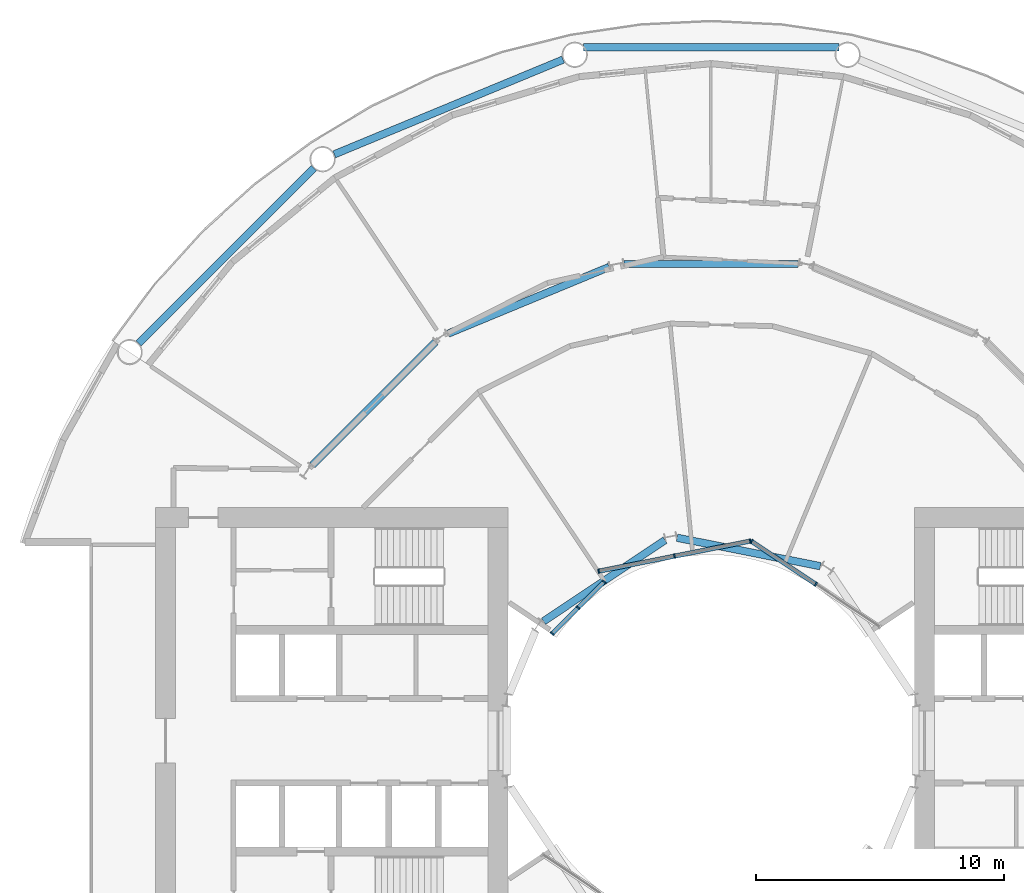
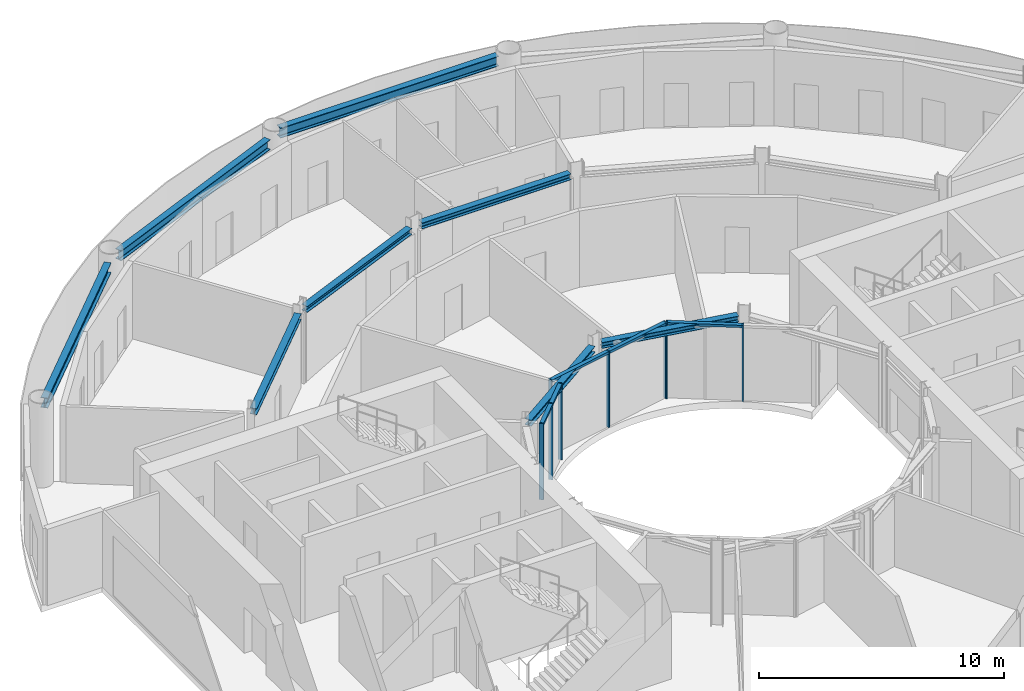
# One storey, part 7 of 19: 13 members, 8 beams, 3 elements without a shape of their own.
"""IFC4 building model written with IfcOpenShell, lengths in metres."""

import ifcopenshell
import ifcopenshell.guid

model = None  # the IFC model being written
_history = None  # IfcOwnerHistory: only IFC2X3 demands one
_inside = {}  # id of a spatial element -> (the spatial element, [elements in it])
_under = {}  # id of a project, library or spatial element -> (it, [spatial elements below it])
_declared = {}  # id of a project -> (the project, [libraries it declares])
_typed = {}  # id of a type object -> (the type object, [elements of that type])
_made_of = {}  # id of a material, layer set ... -> (it, [elements and type objects made of it])


def new_model(schema):
    """Start an empty IFC model of exactly this schema.

    Asked for "IFC4X3", IfcOpenShell would pick the latest addendum, in which some entities
    have other attributes; the version numbers below select the first issue.
    IFC2X3 requires an IfcOwnerHistory on every rooted entity: one is made here for all.
    """
    global model, _history
    if schema == "IFC4X3":
        model = ifcopenshell.file(schema_version=(4, 3, 0, 0))
    else:
        model = ifcopenshell.file(schema=schema)
    _inside.clear()
    _under.clear()
    _declared.clear()
    _typed.clear()
    _made_of.clear()
    _history = None
    if model.schema == "IFC2X3":
        org = make("IfcOrganization", Name="unknown")
        user = make(
            "IfcPersonAndOrganization",
            ThePerson=make("IfcPerson", FamilyName="unknown"),
            TheOrganization=org,
        )
        app = make(
            "IfcApplication",
            ApplicationDeveloper=org,
            Version="unknown",
            ApplicationFullName="unknown",
            ApplicationIdentifier="unknown",
        )
        _history = make(
            "IfcOwnerHistory",
            OwningUser=user,
            OwningApplication=app,
            ChangeAction="ADDED",
            CreationDate=0,
        )
    return model


def make(cls, **values):
    """One entity of the class cls with the attributes given. An attribute that is None is left unset."""
    return model.create_entity(
        cls, **{name: value for name, value in values.items() if value is not None}
    )


def rooted(cls, **values):
    """An entity with a GlobalId (a new one), such as an element, a storey or a relation."""
    return make(cls, GlobalId=ifcopenshell.guid.new(), OwnerHistory=_history, **values)


def si_unit(unit_type, name, prefix=None):
    """IfcSIUnit, for example si_unit("LENGTHUNIT", "METRE", prefix="MILLI")."""
    return make("IfcSIUnit", UnitType=unit_type, Prefix=prefix, Name=name)


def assignment(units):
    """IfcUnitAssignment: the units of a project."""
    return None if units is None else make("IfcUnitAssignment", Units=units)


def point(xyz):
    """IfcCartesianPoint."""
    return None if xyz is None else make("IfcCartesianPoint", Coordinates=xyz)


def direction(xyz):
    """IfcDirection."""
    return None if xyz is None else make("IfcDirection", DirectionRatios=xyz)


def frame(location, z_axis=None, x_axis=None):
    """IfcAxis2Placement3D, a coordinate frame: its origin and axes. An axis left out is left unset."""
    return make(
        "IfcAxis2Placement3D",
        Location=point(location),
        Axis=direction(z_axis),
        RefDirection=direction(x_axis),
    )


def frame_2d(location, x_axis=None):
    """IfcAxis2Placement2D, a coordinate frame in the plane: its origin and x axis."""
    return make(
        "IfcAxis2Placement2D", Location=point(location), RefDirection=direction(x_axis)
    )


def origin():
    """The frame at (0, 0, 0) with its axes left unset."""
    return frame((0.0, 0.0, 0.0))


def origin_2d():
    """The frame at (0, 0) in the plane with its x axis left unset."""
    return frame_2d((0.0, 0.0))


def place(relative_to, where):
    """IfcLocalPlacement: puts the frame where relative to a parent placement (None: the world)."""
    return make(
        "IfcLocalPlacement", PlacementRelTo=relative_to, RelativePlacement=where
    )


def context(
    kind, dimensions, precision=None, world=None, true_north=None, identifier=None
):
    """IfcGeometricRepresentationContext, for example the 3D "Model" context."""
    return make(
        "IfcGeometricRepresentationContext",
        ContextIdentifier=identifier,
        ContextType=kind,
        CoordinateSpaceDimension=dimensions,
        Precision=precision,
        WorldCoordinateSystem=world,
        TrueNorth=true_north,
    )


def subcontext(parent, identifier, kind, view, scale=None):
    """IfcGeometricRepresentationSubContext, for example "Body" below "Model"."""
    return make(
        "IfcGeometricRepresentationSubContext",
        ContextIdentifier=identifier,
        ContextType=kind,
        ParentContext=parent,
        TargetScale=scale,
        TargetView=view,
    )


def project(units=None, contexts=None):
    """IfcProject with its units and contexts."""
    return rooted(
        "IfcProject",
        Name="project",
        RepresentationContexts=contexts,
        UnitsInContext=assignment(units),
    )


def spatial(cls, under=None, at=None, **own):
    """A site, building, storey or space (cls), placed at a placement, below another one or the project."""
    s = rooted(cls, ObjectPlacement=at, **own)
    if under is not None:
        _under.setdefault(under.id(), (under, []))[1].append(s)
    return s


def profile(cls, at=None, kind="AREA", **sizes):
    """A parametric profile (cls). Its sizes go by their IFC names, for example OverallWidth=200.0."""
    return make(cls, ProfileType=kind, Position=at, **sizes)


def rectangle(**sizes):
    """IfcRectangleProfileDef."""
    return profile("IfcRectangleProfileDef", **sizes)


def i_section(**sizes):
    """IfcIShapeProfileDef."""
    return profile("IfcIShapeProfileDef", **sizes)


def extrude(swept, where, along, depth):
    """IfcExtrudedAreaSolid: the profile swept, set in the frame where, extruded along a direction by depth."""
    return make(
        "IfcExtrudedAreaSolid",
        SweptArea=swept,
        Position=where,
        ExtrudedDirection=direction(along),
        Depth=depth,
    )


def shape(context_of_items, identifier, shape_type, items):
    """IfcShapeRepresentation: the items that make up one representation, for example the "Body"."""
    return make(
        "IfcShapeRepresentation",
        ContextOfItems=context_of_items,
        RepresentationIdentifier=identifier,
        RepresentationType=shape_type,
        Items=items,
    )


def material(Name=None, Category=None):
    """IfcMaterial."""
    return make("IfcMaterial", Name=Name, Category=Category)


def layer(
    of_material, thickness, ventilated=None, Name=None, Category=None, Priority=None
):
    """IfcMaterialLayer: one layer of a wall or slab, of a material (None: an air gap)."""
    return make(
        "IfcMaterialLayer",
        Material=of_material,
        LayerThickness=thickness,
        IsVentilated=ventilated,
        Name=Name,
        Category=Category,
        Priority=Priority,
    )


def layer_set(layers, Name=None):
    """IfcMaterialLayerSet."""
    return make("IfcMaterialLayerSet", MaterialLayers=layers, LayerSetName=Name)


def material_profile(
    of_material, cross_section, Name=None, Category=None, Priority=None
):
    """IfcMaterialProfile: a cross section and its material."""
    return make(
        "IfcMaterialProfile",
        Name=Name,
        Material=of_material,
        Profile=cross_section,
        Priority=Priority,
        Category=Category,
    )


def profile_set(profiles, Name=None, composite=None):
    """IfcMaterialProfileSet."""
    return make(
        "IfcMaterialProfileSet",
        Name=Name,
        MaterialProfiles=profiles,
        CompositeProfile=composite,
    )


def made_of(thing, what):
    """Note that an element or type object is made of a material, layer set ...; save() writes the relation."""
    if what is not None:
        _made_of.setdefault(what.id(), (what, []))[1].append(thing)
    return thing


def type_object(cls, material=None, **own):
    """A type object (cls), such as IfcWallType, which elements share."""
    return made_of(rooted(cls, **own), material)


def element(
    cls,
    number,
    at=None,
    inside=None,
    cuts=None,
    type_object=None,
    material=None,
    context=None,
    identifier="Body",
    shape_type=None,
    held_by="IfcProductDefinitionShape",
    body=None,
    shapes=None,
    **own,
):
    """One element of the class cls, such as IfcWall. Its Tag is "e" and its number.

    at: its placement. inside: the storey or other place that contains it. cuts: it is an
    opening in that element (IfcRelVoidsElement). A single representation is given by context,
    identifier, shape_type and body (its items); several are given by shapes. held_by: the class
    of the entity that holds the representations. save() writes the other relations.
    """
    e = rooted(cls, Tag="e%d" % number, ObjectPlacement=at, **own)
    if body is not None:
        shapes = [shape(context, identifier, shape_type, body)]
    if shapes is not None:
        e.Representation = make(held_by, Representations=shapes)
    if inside is not None:
        _inside.setdefault(inside.id(), (inside, []))[1].append(e)
    if cuts is not None:
        rooted(
            "IfcRelVoidsElement", RelatingBuildingElement=cuts, RelatedOpeningElement=e
        )
    if type_object is not None:
        _typed.setdefault(type_object.id(), (type_object, []))[1].append(e)
    return made_of(e, material)


def aggregate(whole, parts):
    """IfcRelAggregates: a whole, such as a stair, and the parts it consists of."""
    return rooted("IfcRelAggregates", RelatingObject=whole, RelatedObjects=parts)


def save(model, path):
    """Write the relations noted so far, then the file.

    IfcRelAggregates (storeys below a building ...), IfcRelContainedInSpatialStructure (elements
    in a storey), IfcRelDefinesByType, IfcRelAssociatesMaterial and IfcRelDeclares: one each for
    every whole, place, type object, material and project.
    """
    for whole, parts in _under.values():
        aggregate(whole, parts)
    for where, things in _inside.values():
        rooted(
            "IfcRelContainedInSpatialStructure",
            RelatedElements=things,
            RelatingStructure=where,
        )
    for kind, things in _typed.values():
        rooted("IfcRelDefinesByType", RelatedObjects=things, RelatingType=kind)
    for what, things in _made_of.values():
        rooted("IfcRelAssociatesMaterial", RelatedObjects=things, RelatingMaterial=what)
    for by, libraries in _declared.values():
        rooted("IfcRelDeclares", RelatingContext=by, RelatedDefinitions=libraries)
    model.write(path)


model = new_model("IFC4")

# Units and contexts
model_context = context("Model", 3, precision=1e-05, world=origin(), true_north=direction((0.0, 1.0)))
body_context = subcontext(model_context, "Body", "Model", "MODEL_VIEW")
ifc_project = project(units=[si_unit("LENGTHUNIT", "METRE"), si_unit("AREAUNIT", "SQUARE_METRE"), si_unit("VOLUMEUNIT", "CUBIC_METRE"), si_unit("PLANEANGLEUNIT", "RADIAN"), si_unit("MASSUNIT", "GRAM", prefix="KILO")], contexts=[model_context])

# Site, building, storey
site_placement = place(None, origin())
site = spatial("IfcSite", under=ifc_project, at=site_placement, CompositionType="ELEMENT")
building_placement = place(site_placement, origin())
building = spatial("IfcBuilding", under=site, at=building_placement, Name="Maasbend Ring Residences", CompositionType="ELEMENT")
storey_placement = place(building_placement, frame((0.0, 0.0, 53.300048828125)))
storey = spatial("IfcBuildingStorey", under=building, at=storey_placement, Name="L15", CompositionType="ELEMENT", Elevation=53.300048828125)

# Curtain wall, members
ifc_material_1 = material(Name="Aluminium and clear glass", Category="aluminium")
ifc_layer = layer(ifc_material_1, 0.179931640625)
ifc_layer_set = layer_set([ifc_layer], Name="CW-W")
curtain_wall_type = type_object("IfcCurtainWallType", Name="CW-W", PredefinedType="NOTDEFINED", material=ifc_layer_set)
curtain_wall_1_placement = place(storey_placement, origin())
curtain_wall_1 = element("IfcCurtainWall", 1, at=curtain_wall_1_placement, inside=storey, type_object=curtain_wall_type, Name="Well curtain wall N1", PredefinedType="NOTDEFINED")
ifc_material_2 = material(Name="Aluminium 6063-T6", Category="aluminium")
ifc_material_profile_1 = material_profile(ifc_material_2, rectangle(XDim=0.179931640625, YDim=0.06005859375, at=origin_2d()), Name="AL 180x60")
ifc_profile_set_1 = profile_set([ifc_material_profile_1], Name="Aluminium 6063-T6")
member_type_1 = type_object("IfcMemberType", Name="CWM-W", PredefinedType="MULLION", material=ifc_profile_set_1)
member_1_placement = place(storey_placement, frame((4.216796875, 6.310791015625, 0.0), z_axis=(0.0, 0.0, 1.0), x_axis=(-0.55557023302, -0.831469612303, 0.0)))
member_1 = element("IfcMember", 2, at=member_1_placement, type_object=member_type_1, Name="Mullion well face", PredefinedType="MULLION", context=body_context, shape_type="SweptSolid", body=[
    extrude(rectangle(XDim=0.179931640625, YDim=0.06005859375, at=origin_2d()), origin(), (0.0, 0.0, 1.0), 3.800048828125),
])
member_2_placement = place(storey_placement, frame((1.627685546875, 8.040771484375, 0.0), z_axis=(0.0, 0.0, 1.0), x_axis=(-0.55557023302, -0.831469612303, 0.0)))
member_2 = element("IfcMember", 3, at=member_2_placement, type_object=member_type_1, Name="Mullion well face", PredefinedType="MULLION", context=body_context, shape_type="SweptSolid", body=[
    extrude(rectangle(XDim=0.179931640625, YDim=0.06005859375, at=origin_2d()), origin(), (0.0, 0.0, 1.0), 3.800048828125),
])

curtain_wall_2_placement = place(storey_placement, origin())
curtain_wall_2 = element("IfcCurtainWall", 4, at=curtain_wall_2_placement, inside=storey, type_object=curtain_wall_type, Name="Well curtain wall N2", PredefinedType="NOTDEFINED")
member_3_placement = place(storey_placement, frame((1.5732421875, 8.0517578125, 0.0), z_axis=(0.0, 0.0, 1.0), x_axis=(0.195090322016, -0.980785280403, 0.0)))
member_3 = element("IfcMember", 5, at=member_3_placement, type_object=member_type_1, Name="Mullion well face", PredefinedType="MULLION", context=body_context, shape_type="SweptSolid", body=[
    extrude(rectangle(XDim=0.179931640625, YDim=0.06005859375, at=origin_2d()), origin(), (0.0, 0.0, 1.0), 3.800048828125),
])
member_4_placement = place(storey_placement, frame((-1.480712890625, 7.444091796875, 0.0), z_axis=(0.0, 0.0, 1.0), x_axis=(0.195090322016, -0.980785280403, 0.0)))
member_4 = element("IfcMember", 6, at=member_4_placement, type_object=member_type_1, Name="Mullion well face", PredefinedType="MULLION", context=body_context, shape_type="SweptSolid", body=[
    extrude(rectangle(XDim=0.179931640625, YDim=0.06005859375, at=origin_2d()), origin(), (0.0, 0.0, 1.0), 3.800048828125),
])
member_5_placement = place(storey_placement, frame((-4.53466796875, 6.836669921875, 0.0), z_axis=(0.0, 0.0, 1.0), x_axis=(0.195090322016, -0.980785280403, 0.0)))
member_5 = element("IfcMember", 7, at=member_5_placement, type_object=member_type_1, Name="Mullion well face", PredefinedType="MULLION", context=body_context, shape_type="SweptSolid", body=[
    extrude(rectangle(XDim=0.179931640625, YDim=0.06005859375, at=origin_2d()), origin(), (0.0, 0.0, 1.0), 3.800048828125),
])

curtain_wall_3_placement = place(storey_placement, origin())
curtain_wall_3 = element("IfcCurtainWall", 8, at=curtain_wall_3_placement, inside=storey, type_object=curtain_wall_type, Name="Well curtain wall N3", PredefinedType="NOTDEFINED")
member_6_placement = place(storey_placement, frame((-4.320556640625, 6.413330078125, 0.0), z_axis=(0.0, 0.0, 1.0), x_axis=(0.707106781187, -0.707106781187, 0.0)))
member_6 = element("IfcMember", 9, at=member_6_placement, type_object=member_type_1, Name="Mullion well face", PredefinedType="MULLION", context=body_context, shape_type="SweptSolid", body=[
    extrude(rectangle(XDim=0.179931640625, YDim=0.06005859375, at=origin_2d()), origin(), (0.0, 0.0, 1.0), 3.800048828125),
])
member_7_placement = place(storey_placement, frame((-5.366943359375, 5.366943359375, 0.0), z_axis=(0.0, 0.0, 1.0), x_axis=(0.707106781187, -0.707106781187, 0.0)))
member_7 = element("IfcMember", 10, at=member_7_placement, type_object=member_type_1, Name="Mullion well face", PredefinedType="MULLION", context=body_context, shape_type="SweptSolid", body=[
    extrude(rectangle(XDim=0.179931640625, YDim=0.06005859375, at=origin_2d()), origin(), (0.0, 0.0, 1.0), 3.800048828125),
])
member_8_placement = place(storey_placement, frame((-6.413330078125, 4.320556640625, 0.0), z_axis=(0.0, 0.0, 1.0), x_axis=(0.707106781187, -0.707106781187, 0.0)))
member_8 = element("IfcMember", 11, at=member_8_placement, type_object=member_type_1, Name="Mullion well face", PredefinedType="MULLION", context=body_context, shape_type="SweptSolid", body=[
    extrude(rectangle(XDim=0.179931640625, YDim=0.06005859375, at=origin_2d()), origin(), (0.0, 0.0, 1.0), 3.800048828125),
])

# Member
ifc_material_3 = material(Name="Aluminium 6063-T6", Category="aluminium")
ifc_material_profile_2 = material_profile(ifc_material_3, rectangle(XDim=0.179931640625, YDim=0.1201171875, at=origin_2d()), Name="AL 180x120")
ifc_profile_set_2 = profile_set([ifc_material_profile_2], Name="Aluminium 6063-T6")
member_type_2 = type_object("IfcMemberType", Name="CWT-W", PredefinedType="USERDEFINED", material=ifc_profile_set_2)
member_9_placement = place(storey_placement, frame((4.19189453125, 6.32763671875, 3.739990234375), z_axis=(-0.831496422459, 0.555530106689, 0.0), x_axis=(-0.555530106689, -0.831496422459, 0.0)))
member_9 = element("IfcMember", 12, at=member_9_placement, type_object=member_type_2, Name="Transom well face", ObjectType="TRANSOM", PredefinedType="USERDEFINED", context=body_context, shape_type="SweptSolid", body=[
    extrude(rectangle(XDim=0.179931640625, YDim=0.1201171875, at=origin_2d()), origin(), (0.0, 0.0, 1.0), 3.053955078125),
])

aggregate(curtain_wall_1, [member_1, member_2, member_9])

member_10_placement = place(storey_placement, frame((1.5439453125, 8.0458984375, 3.739990234375), z_axis=(-0.980776956105, -0.195132166424, 0.0), x_axis=(0.195132166424, -0.980776956105, 0.0)))
member_10 = element("IfcMember", 13, at=member_10_placement, type_object=member_type_2, Name="Transom well face", ObjectType="TRANSOM", PredefinedType="USERDEFINED", context=body_context, shape_type="SweptSolid", body=[
    extrude(rectangle(XDim=0.179931640625, YDim=0.1201171875, at=origin_2d()), origin(), (0.0, 0.0, 1.0), 3.053955078125),
])

member_11_placement = place(storey_placement, frame((-1.51025390625, 7.438232421875, 3.739990234375), z_axis=(-0.980789210404, -0.19507056353, 0.0), x_axis=(0.19507056353, -0.980789210404, 0.0)))
member_11 = element("IfcMember", 14, at=member_11_placement, type_object=member_type_2, Name="Transom well face", ObjectType="TRANSOM", PredefinedType="USERDEFINED", context=body_context, shape_type="SweptSolid", body=[
    extrude(rectangle(XDim=0.179931640625, YDim=0.1201171875, at=origin_2d()), origin(), (0.0, 0.0, 1.0), 3.0537109375),
])

aggregate(curtain_wall_2, [member_3, member_4, member_5, member_10, member_11])

member_12_placement = place(storey_placement, frame((-4.341796875, 6.39208984375, 3.739990234375), z_axis=(-0.707106781187, -0.707106781187, 0.0), x_axis=(0.707106781187, -0.707106781187, 0.0)))
member_12 = element("IfcMember", 15, at=member_12_placement, type_object=member_type_2, Name="Transom well face", ObjectType="TRANSOM", PredefinedType="USERDEFINED", context=body_context, shape_type="SweptSolid", body=[
    extrude(rectangle(XDim=0.179931640625, YDim=0.1201171875, at=origin_2d()), origin(), (0.0, 0.0, 1.0), 1.419677734375),
])

member_13_placement = place(storey_placement, frame((-5.38818359375, 5.345703125, 3.739990234375), z_axis=(-0.707106781187, -0.707106781187, 0.0), x_axis=(0.707106781187, -0.707106781187, 0.0)))
member_13 = element("IfcMember", 16, at=member_13_placement, type_object=member_type_2, Name="Transom well face", ObjectType="TRANSOM", PredefinedType="USERDEFINED", context=body_context, shape_type="SweptSolid", body=[
    extrude(rectangle(XDim=0.179931640625, YDim=0.1201171875, at=origin_2d()), origin(), (0.0, 0.0, 1.0), 1.419677734375),
])

aggregate(curtain_wall_3, [member_6, member_7, member_8, member_12, member_13])

# Beams
ifc_material_4 = material(Name="Steel S355J2", Category="steel")
ifc_material_profile_3 = material_profile(ifc_material_4, i_section(OverallWidth=0.300048828125, OverallDepth=0.300048828125, WebThickness=0.010986328125, FlangeThickness=0.01904296875, FilletRadius=0.027099609375, at=origin_2d()), Name="HEB 300")
ifc_profile_set_3 = profile_set([ifc_material_profile_3], Name="Steel S355J2")
beam_type_1 = type_object("IfcBeamType", Name="Corridor ring beam HEB 300", PredefinedType="BEAM", material=ifc_profile_set_3)
beam_1_placement = place(storey_placement, frame((3.5078125, 19.223388671875, 3.64990234375), z_axis=(-1.0, 0.0, 0.0), x_axis=(0.0, -1.0, 0.0)))
element("IfcBeam", 17, at=beam_1_placement, inside=storey, type_object=beam_type_1, Name="Corridor ring beam", PredefinedType="BEAM", context=body_context, shape_type="SweptSolid", body=[
    extrude(i_section(OverallWidth=0.300048828125, OverallDepth=0.300048828125, WebThickness=0.010986328125, FlangeThickness=0.01904296875, FilletRadius=0.027099609375, at=origin_2d()), origin(), (0.0, 0.0, 1.0), 7.015625),
])
beam_2_placement = place(storey_placement, frame((-4.11572265625, 19.102294921875, 3.64990234375), z_axis=(-0.923886196809, -0.38266734293, 0.0), x_axis=(0.38266734293, -0.923886196809, 0.0)))
element("IfcBeam", 18, at=beam_2_placement, inside=storey, type_object=beam_type_1, Name="Corridor ring beam", PredefinedType="BEAM", context=body_context, shape_type="SweptSolid", body=[
    extrude(i_section(OverallWidth=0.300048828125, OverallDepth=0.300048828125, WebThickness=0.010986328125, FlangeThickness=0.01904296875, FilletRadius=0.027099609375, at=origin_2d()), origin(), (0.0, 0.0, 1.0), 7.015380859375),
])
beam_3_placement = place(storey_placement, frame((-11.11279296875, 16.0732421875, 3.64990234375), z_axis=(-0.707106781187, -0.707106781187, 0.0), x_axis=(0.707106781187, -0.707106781187, 0.0)))
element("IfcBeam", 19, at=beam_3_placement, inside=storey, type_object=beam_type_1, Name="Corridor ring beam", PredefinedType="BEAM", context=body_context, shape_type="SweptSolid", body=[
    extrude(i_section(OverallWidth=0.300048828125, OverallDepth=0.300048828125, WebThickness=0.010986328125, FlangeThickness=0.01904296875, FilletRadius=0.027099609375, at=origin_2d()), origin(), (0.0, 0.0, 1.0), 7.01513671875),
])
ifc_material_5 = material(Name="Steel S355J2", Category="steel")
ifc_material_profile_4 = material_profile(ifc_material_5, i_section(OverallWidth=0.300048828125, OverallDepth=0.5, WebThickness=0.014404296875, FlangeThickness=0.028076171875, FilletRadius=0.027099609375, at=origin_2d()), Name="HEB 500")
ifc_profile_set_4 = profile_set([ifc_material_profile_4], Name="Steel S355J2")
beam_type_2 = type_object("IfcBeamType", Name="Spandrel ring beam HEB 500", PredefinedType="SPANDREL", material=ifc_profile_set_4)
beam_4_placement = place(storey_placement, frame((5.1435546875, 27.9580078125, 3.550048828125), z_axis=(-1.0, 0.0, 0.0), x_axis=(0.0, -1.0, 0.0)))
element("IfcBeam", 20, at=beam_4_placement, inside=storey, type_object=beam_type_2, Name="Spandrel ring beam", PredefinedType="SPANDREL", context=body_context, shape_type="SweptSolid", body=[
    extrude(i_section(OverallWidth=0.300048828125, OverallDepth=0.5, WebThickness=0.014404296875, FlangeThickness=0.028076171875, FilletRadius=0.027099609375, at=origin_2d()), origin(), (0.0, 0.0, 1.0), 10.287109375),
])
beam_5_placement = place(storey_placement, frame((-5.970703125, 27.463623046875, 3.550048828125), z_axis=(-0.923886337442, -0.382667003395, 0.0), x_axis=(0.382667003395, -0.923886337442, 0.0)))
element("IfcBeam", 21, at=beam_5_placement, inside=storey, type_object=beam_type_2, Name="Spandrel ring beam", PredefinedType="SPANDREL", context=body_context, shape_type="SweptSolid", body=[
    extrude(i_section(OverallWidth=0.300048828125, OverallDepth=0.5, WebThickness=0.014404296875, FlangeThickness=0.028076171875, FilletRadius=0.027099609375, at=origin_2d()), origin(), (0.0, 0.0, 1.0), 9.9873046875),
])
beam_6_placement = place(storey_placement, frame((-16.0263671875, 23.088134765625, 3.550048828125), z_axis=(-0.707106781187, -0.707106781187, 0.0), x_axis=(0.707106781187, -0.707106781187, 0.0)))
element("IfcBeam", 22, at=beam_6_placement, inside=storey, type_object=beam_type_2, Name="Spandrel ring beam", PredefinedType="SPANDREL", context=body_context, shape_type="SweptSolid", body=[
    extrude(i_section(OverallWidth=0.300048828125, OverallDepth=0.5, WebThickness=0.014404296875, FlangeThickness=0.028076171875, FilletRadius=0.027099609375, at=origin_2d()), origin(), (0.0, 0.0, 1.0), 9.98681640625),
])
ifc_material_6 = material(Name="Steel S355J2", Category="steel")
ifc_material_profile_5 = material_profile(ifc_material_6, i_section(OverallWidth=0.300048828125, OverallDepth=0.300048828125, WebThickness=0.010986328125, FlangeThickness=0.01904296875, FilletRadius=0.027099609375, at=origin_2d()), Name="HEB 300")
ifc_profile_set_5 = profile_set([ifc_material_profile_5], Name="Steel S355J2")
beam_type_3 = type_object("IfcBeamType", Name="Well edge beam HEB 300", PredefinedType="BEAM", material=ifc_profile_set_5)
beam_7_placement = place(storey_placement, frame((4.4013671875, 7.037109375, 3.64990234375), z_axis=(-0.980784282486, 0.195095338819, 0.0), x_axis=(-0.195095338819, -0.980784282486, 0.0)))
element("IfcBeam", 23, at=beam_7_placement, inside=storey, type_object=beam_type_3, Name="Well edge beam", PredefinedType="BEAM", context=body_context, shape_type="SweptSolid", body=[
    extrude(i_section(OverallWidth=0.300048828125, OverallDepth=0.300048828125, WebThickness=0.010986328125, FlangeThickness=0.01904296875, FilletRadius=0.027099609375, at=origin_2d()), origin(), (0.0, 0.0, 1.0), 5.8876953125),
])
beam_8_placement = place(storey_placement, frame((-1.86376953125, 8.08837890625, 3.64990234375), z_axis=(-0.831456549723, -0.555589782054, 0.0), x_axis=(0.555589782054, -0.831456549723, 0.0)))
element("IfcBeam", 24, at=beam_8_placement, inside=storey, type_object=beam_type_3, Name="Well edge beam", PredefinedType="BEAM", context=body_context, shape_type="SweptSolid", body=[
    extrude(i_section(OverallWidth=0.300048828125, OverallDepth=0.300048828125, WebThickness=0.010986328125, FlangeThickness=0.01904296875, FilletRadius=0.027099609375, at=origin_2d()), origin(), (0.0, 0.0, 1.0), 5.887939453125),
])

save(model, "model.ifc")
